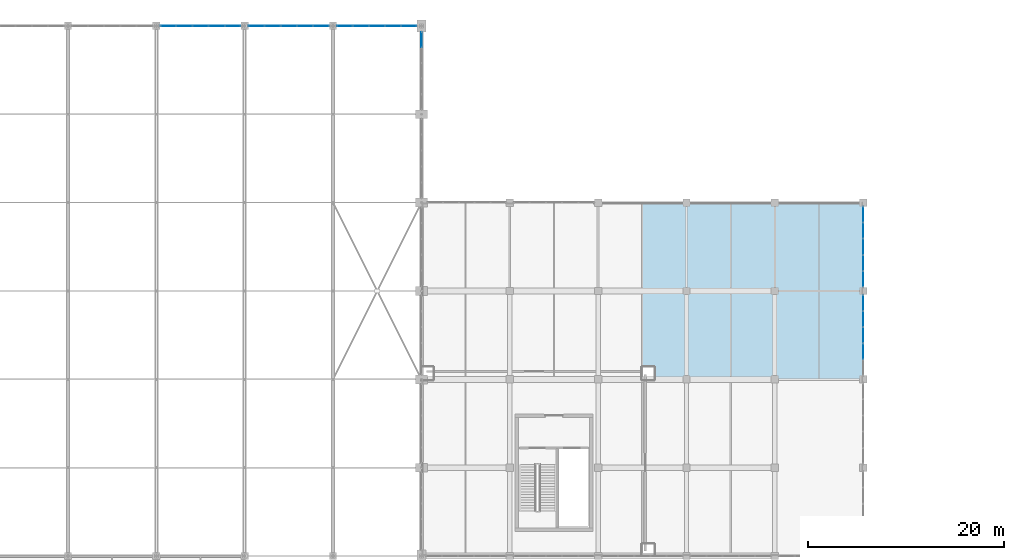
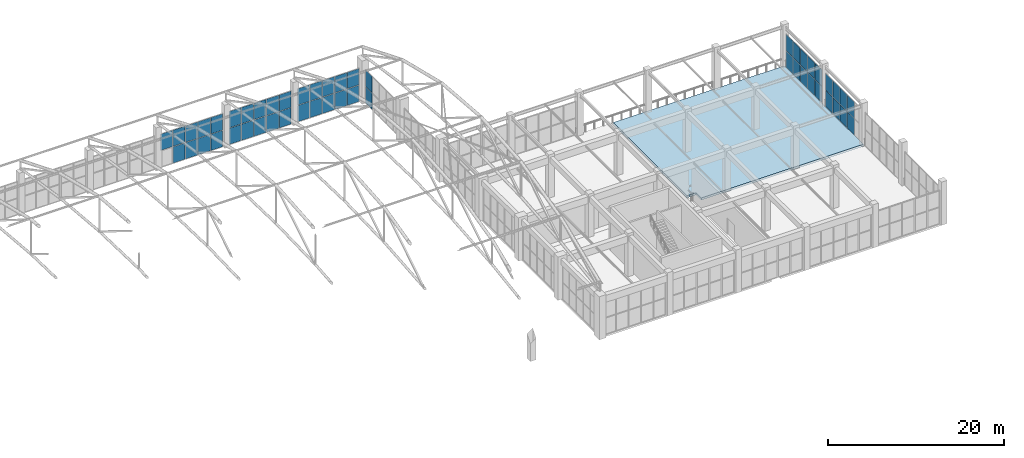
# One storey, part 181 of 223: 49 plates, 1 slab, 6 elements without a shape of their own.
"""IFC4 building model written with IfcOpenShell, lengths in metres."""

from ifc_helpers import new_model, si_unit, direction, frame, origin, origin_2d, place, context, subcontext, project, spatial, polyline, rectangle, outline, extrude, material, layer, layer_set, type_object, element, aggregate, save


model = new_model("IFC4")

# Units and contexts
model_context = context("Model", 3, precision=1e-05, world=origin(), true_north=direction((0.0, 1.0)))
body_context = subcontext(model_context, "Body", "Model", "MODEL_VIEW")
ifc_project = project(units=[si_unit("LENGTHUNIT", "METRE"), si_unit("AREAUNIT", "SQUARE_METRE"), si_unit("VOLUMEUNIT", "CUBIC_METRE"), si_unit("PLANEANGLEUNIT", "RADIAN"), si_unit("MASSUNIT", "GRAM", prefix="KILO")], contexts=[model_context])

# Site, building, storey
site_placement = place(None, origin())
site = spatial("IfcSite", under=ifc_project, at=site_placement, CompositionType="ELEMENT")
building_placement = place(site_placement, origin())
building = spatial("IfcBuilding", under=site, at=building_placement, Name="Dornveld Trade and Exhibition Forum", CompositionType="ELEMENT")
storey_placement = place(building_placement, frame((0.0, 0.0, 6.0)))
storey = spatial("IfcBuildingStorey", under=building, at=storey_placement, Name="L01", CompositionType="ELEMENT", Elevation=6.0)

# Curtain wall, plates
ifc_material_1 = material(Name="Dark-bronze anodised aluminium and low-E glass", Category="aluminium")
ifc_layer_1 = layer(ifc_material_1, 0.193115234375)
ifc_layer_set_1 = layer_set([ifc_layer_1], Name="Dark-bronze anodised aluminium and low-E glass")
curtain_wall_type_1 = type_object("IfcCurtainWallType", Name="CW-SYS-17", PredefinedType="USERDEFINED", material=ifc_layer_set_1)
curtain_wall_1_placement = place(storey_placement, origin())
curtain_wall_1 = element("IfcCurtainWall", 1, at=curtain_wall_1_placement, inside=storey, type_object=curtain_wall_type_1, Name="L01 unitised curtain wall 17", ObjectType="UNITISED_CURTAIN_WALL", PredefinedType="USERDEFINED")
ifc_material_2 = material(Name="Double-glazed low-E solar control glass", Category="glass")
ifc_layer_2 = layer(ifc_material_2, 0.02587890625)
ifc_layer_set_2 = layer_set([ifc_layer_2], Name="Double-glazed low-E solar control glass")
plate_type_1 = type_object("IfcPlateType", Name="CW-PNL-01", PredefinedType="CURTAIN_PANEL", material=ifc_layer_set_2)
plate_1_placement = place(storey_placement, frame((171.0, 160.59326171875, 0.05615234375), z_axis=(0.0, 0.0, 1.0), x_axis=(0.0, 1.0, 0.0)))
plate_1 = element("IfcPlate", 2, at=plate_1_placement, type_object=plate_type_1, Name="CW-17 panel 5.1", PredefinedType="CURTAIN_PANEL", context=body_context, shape_type="SweptSolid", body=[
    extrude(rectangle(XDim=1.501708984375, YDim=0.02587890625, at=origin_2d()), origin(), (0.0, 0.0, 1.0), 2.261962890625),
])
plate_2_placement = place(storey_placement, frame((171.0, 160.59326171875, 2.3779296875), z_axis=(0.0, 0.0, 1.0), x_axis=(0.0, 1.0, 0.0)))
plate_2 = element("IfcPlate", 3, at=plate_2_placement, type_object=plate_type_1, Name="CW-17 panel 5.2", PredefinedType="CURTAIN_PANEL", context=body_context, shape_type="SweptSolid", body=[
    extrude(rectangle(XDim=1.501708984375, YDim=0.02587890625, at=origin_2d()), origin(), (0.0, 0.0, 1.0), 2.261962890625),
])
aggregate(curtain_wall_1, [plate_1, plate_2])

ifc_material_3 = material(Name="Dark-bronze anodised aluminium and low-E glass", Category="aluminium")
ifc_layer_3 = layer(ifc_material_3, 0.14501953125)
ifc_layer_set_3 = layer_set([ifc_layer_3], Name="Dark-bronze anodised aluminium and low-E glass")
curtain_wall_type_2 = type_object("IfcCurtainWallType", Name="CW-SYS-01", PredefinedType="USERDEFINED", material=ifc_layer_set_3)
curtain_wall_2_placement = place(storey_placement, origin())
curtain_wall_2 = element("IfcCurtainWall", 4, at=curtain_wall_2_placement, inside=storey, type_object=curtain_wall_type_2, Name="L01 unitised curtain wall 145", ObjectType="UNITISED_CURTAIN_WALL", PredefinedType="USERDEFINED")
plate_3_placement = place(storey_placement, frame((169.720703125, 162.0, 0.05615234375), z_axis=(0.0, 0.0, 1.0), x_axis=(-1.0, 0.0, 0.0)))
plate_3 = element("IfcPlate", 5, at=plate_3_placement, type_object=plate_type_1, Name="CW-01 panel 1.1", PredefinedType="CURTAIN_PANEL", context=body_context, shape_type="SweptSolid", body=[
    extrude(rectangle(XDim=1.546630859375, YDim=0.02587890625, at=origin_2d()), origin(), (0.0, 0.0, 1.0), 2.261962890625),
])
plate_4_placement = place(storey_placement, frame((169.720703125, 162.0, 2.3779296875), z_axis=(0.0, 0.0, 1.0), x_axis=(-1.0, 0.0, 0.0)))
plate_4 = element("IfcPlate", 6, at=plate_4_placement, type_object=plate_type_1, Name="CW-01 panel 1.2", PredefinedType="CURTAIN_PANEL", context=body_context, shape_type="SweptSolid", body=[
    extrude(rectangle(XDim=1.546630859375, YDim=0.02587890625, at=origin_2d()), origin(), (0.0, 0.0, 1.0), 2.261962890625),
])
plate_5_placement = place(storey_placement, frame((168.09912109375, 162.0, 0.05615234375), z_axis=(0.0, 0.0, 1.0), x_axis=(-1.0, 0.0, 0.0)))
plate_5 = element("IfcPlate", 7, at=plate_5_placement, type_object=plate_type_1, Name="CW-01 panel 2.1", PredefinedType="CURTAIN_PANEL", context=body_context, shape_type="SweptSolid", body=[
    extrude(rectangle(XDim=1.57666015625, YDim=0.02587890625, at=origin_2d()), origin(), (0.0, 0.0, 1.0), 2.261962890625),
])
plate_6_placement = place(storey_placement, frame((168.09912109375, 162.0, 2.3779296875), z_axis=(0.0, 0.0, 1.0), x_axis=(-1.0, 0.0, 0.0)))
plate_6 = element("IfcPlate", 8, at=plate_6_placement, type_object=plate_type_1, Name="CW-01 panel 2.2", PredefinedType="CURTAIN_PANEL", context=body_context, shape_type="SweptSolid", body=[
    extrude(rectangle(XDim=1.57666015625, YDim=0.02587890625, at=origin_2d()), origin(), (0.0, 0.0, 1.0), 2.261962890625),
])
plate_7_placement = place(storey_placement, frame((166.46240234375, 162.0, 0.05615234375), z_axis=(0.0, 0.0, 1.0), x_axis=(-1.0, 0.0, 0.0)))
plate_7 = element("IfcPlate", 9, at=plate_7_placement, type_object=plate_type_1, Name="CW-01 panel 3.1", PredefinedType="CURTAIN_PANEL", context=body_context, shape_type="SweptSolid", body=[
    extrude(rectangle(XDim=1.57666015625, YDim=0.02587890625, at=origin_2d()), origin(), (0.0, 0.0, 1.0), 2.261962890625),
])
plate_8_placement = place(storey_placement, frame((166.46240234375, 162.0, 2.3779296875), z_axis=(0.0, 0.0, 1.0), x_axis=(-1.0, 0.0, 0.0)))
plate_8 = element("IfcPlate", 10, at=plate_8_placement, type_object=plate_type_1, Name="CW-01 panel 3.2", PredefinedType="CURTAIN_PANEL", context=body_context, shape_type="SweptSolid", body=[
    extrude(rectangle(XDim=1.57666015625, YDim=0.02587890625, at=origin_2d()), origin(), (0.0, 0.0, 1.0), 2.261962890625),
])
plate_9_placement = place(storey_placement, frame((164.825927734375, 162.0, 0.05615234375), z_axis=(0.0, 0.0, 1.0), x_axis=(-1.0, 0.0, 0.0)))
plate_9 = element("IfcPlate", 11, at=plate_9_placement, type_object=plate_type_1, Name="CW-01 panel 4.1", PredefinedType="CURTAIN_PANEL", context=body_context, shape_type="SweptSolid", body=[
    extrude(rectangle(XDim=1.57666015625, YDim=0.02587890625, at=origin_2d()), origin(), (0.0, 0.0, 1.0), 2.261962890625),
])
plate_10_placement = place(storey_placement, frame((164.825927734375, 162.0, 2.3779296875), z_axis=(0.0, 0.0, 1.0), x_axis=(-1.0, 0.0, 0.0)))
plate_10 = element("IfcPlate", 12, at=plate_10_placement, type_object=plate_type_1, Name="CW-01 panel 4.2", PredefinedType="CURTAIN_PANEL", context=body_context, shape_type="SweptSolid", body=[
    extrude(rectangle(XDim=1.57666015625, YDim=0.02587890625, at=origin_2d()), origin(), (0.0, 0.0, 1.0), 2.261962890625),
])
plate_11_placement = place(storey_placement, frame((163.204345703125, 162.0, 0.05615234375), z_axis=(0.0, 0.0, 1.0), x_axis=(-1.0, 0.0, 0.0)))
plate_11 = element("IfcPlate", 13, at=plate_11_placement, type_object=plate_type_1, Name="CW-01 panel 5.1", PredefinedType="CURTAIN_PANEL", context=body_context, shape_type="SweptSolid", body=[
    extrude(rectangle(XDim=1.546630859375, YDim=0.02587890625, at=origin_2d()), origin(), (0.0, 0.0, 1.0), 2.261962890625),
])
plate_12_placement = place(storey_placement, frame((163.204345703125, 162.0, 2.3779296875), z_axis=(0.0, 0.0, 1.0), x_axis=(-1.0, 0.0, 0.0)))
plate_12 = element("IfcPlate", 14, at=plate_12_placement, type_object=plate_type_1, Name="CW-01 panel 5.2", PredefinedType="CURTAIN_PANEL", context=body_context, shape_type="SweptSolid", body=[
    extrude(rectangle(XDim=1.546630859375, YDim=0.02587890625, at=origin_2d()), origin(), (0.0, 0.0, 1.0), 2.261962890625),
])
aggregate(curtain_wall_2, [plate_3, plate_4, plate_5, plate_6, plate_7, plate_8, plate_9, plate_10, plate_11, plate_12])

ifc_material_4 = material(Name="Dark-bronze anodised aluminium and low-E glass", Category="aluminium")
ifc_layer_4 = layer(ifc_material_4, 0.15087890625)
ifc_layer_set_4 = layer_set([ifc_layer_4], Name="Dark-bronze anodised aluminium and low-E glass")
curtain_wall_type_3 = type_object("IfcCurtainWallType", Name="CW-SYS-03", PredefinedType="USERDEFINED", material=ifc_layer_set_4)
curtain_wall_3_placement = place(storey_placement, origin())
curtain_wall_3 = element("IfcCurtainWall", 15, at=curtain_wall_3_placement, inside=storey, type_object=curtain_wall_type_3, Name="L01 unitised curtain wall 111", ObjectType="UNITISED_CURTAIN_WALL", PredefinedType="USERDEFINED")
ifc_material_5 = material(Name="Double-glazed low-E solar control glass", Category="glass")
ifc_layer_5 = layer(ifc_material_5, 0.0380859375)
ifc_layer_set_5 = layer_set([ifc_layer_5], Name="Double-glazed low-E solar control glass")
plate_type_2 = type_object("IfcPlateType", Name="CW-PNL-07", PredefinedType="CURTAIN_PANEL", material=ifc_layer_set_5)
plate_13_placement = place(storey_placement, frame((216.0, 128.848388671875, 0.05615234375), z_axis=(0.0, 0.0, 1.0), x_axis=(0.0, 1.0, 0.0)))
plate_13 = element("IfcPlate", 16, at=plate_13_placement, type_object=plate_type_2, Name="CW-03 panel 2.1", PredefinedType="CURTAIN_PANEL", context=body_context, shape_type="SweptSolid", body=[
    extrude(rectangle(XDim=1.591552734375, YDim=0.0380859375, at=origin_2d()), origin(), (0.0, 0.0, 1.0), 2.261962890625),
])
plate_14_placement = place(storey_placement, frame((216.0, 128.848388671875, 2.3779296875), z_axis=(0.0, 0.0, 1.0), x_axis=(0.0, 1.0, 0.0)))
plate_14 = element("IfcPlate", 17, at=plate_14_placement, type_object=plate_type_2, Name="CW-03 panel 2.2", PredefinedType="CURTAIN_PANEL", context=body_context, shape_type="SweptSolid", body=[
    extrude(rectangle(XDim=1.591552734375, YDim=0.0380859375, at=origin_2d()), origin(), (0.0, 0.0, 1.0), 2.261962890625),
])
plate_15_placement = place(storey_placement, frame((216.0, 130.5, 0.05615234375), z_axis=(0.0, 0.0, 1.0), x_axis=(0.0, 1.0, 0.0)))
plate_15 = element("IfcPlate", 18, at=plate_15_placement, type_object=plate_type_2, Name="CW-03 panel 3.1", PredefinedType="CURTAIN_PANEL", context=body_context, shape_type="SweptSolid", body=[
    extrude(rectangle(XDim=1.591552734375, YDim=0.0380859375, at=origin_2d()), origin(), (0.0, 0.0, 1.0), 2.261962890625),
])
plate_16_placement = place(storey_placement, frame((216.0, 130.5, 2.3779296875), z_axis=(0.0, 0.0, 1.0), x_axis=(0.0, 1.0, 0.0)))
plate_16 = element("IfcPlate", 19, at=plate_16_placement, type_object=plate_type_2, Name="CW-03 panel 3.2", PredefinedType="CURTAIN_PANEL", context=body_context, shape_type="SweptSolid", body=[
    extrude(rectangle(XDim=1.591552734375, YDim=0.0380859375, at=origin_2d()), origin(), (0.0, 0.0, 1.0), 2.261962890625),
])
plate_17_placement = place(storey_placement, frame((216.0, 132.151611328125, 0.05615234375), z_axis=(0.0, 0.0, 1.0), x_axis=(0.0, 1.0, 0.0)))
plate_17 = element("IfcPlate", 20, at=plate_17_placement, type_object=plate_type_2, Name="CW-03 panel 4.1", PredefinedType="CURTAIN_PANEL", context=body_context, shape_type="SweptSolid", body=[
    extrude(rectangle(XDim=1.591552734375, YDim=0.0380859375, at=origin_2d()), origin(), (0.0, 0.0, 1.0), 2.261962890625),
])
plate_18_placement = place(storey_placement, frame((216.0, 132.151611328125, 2.3779296875), z_axis=(0.0, 0.0, 1.0), x_axis=(0.0, 1.0, 0.0)))
plate_18 = element("IfcPlate", 21, at=plate_18_placement, type_object=plate_type_2, Name="CW-03 panel 4.2", PredefinedType="CURTAIN_PANEL", context=body_context, shape_type="SweptSolid", body=[
    extrude(rectangle(XDim=1.591552734375, YDim=0.0380859375, at=origin_2d()), origin(), (0.0, 0.0, 1.0), 2.261962890625),
])
plate_19_placement = place(storey_placement, frame((216.0, 133.7880859375, 0.05615234375), z_axis=(0.0, 0.0, 1.0), x_axis=(0.0, 1.0, 0.0)))
plate_19 = element("IfcPlate", 22, at=plate_19_placement, type_object=plate_type_2, Name="CW-03 panel 5.1", PredefinedType="CURTAIN_PANEL", context=body_context, shape_type="SweptSolid", body=[
    extrude(rectangle(XDim=1.5615234375, YDim=0.0380859375, at=origin_2d()), origin(), (0.0, 0.0, 1.0), 2.261962890625),
])
plate_20_placement = place(storey_placement, frame((216.0, 133.7880859375, 2.3779296875), z_axis=(0.0, 0.0, 1.0), x_axis=(0.0, 1.0, 0.0)))
plate_20 = element("IfcPlate", 23, at=plate_20_placement, type_object=plate_type_2, Name="CW-03 panel 5.2", PredefinedType="CURTAIN_PANEL", context=body_context, shape_type="SweptSolid", body=[
    extrude(rectangle(XDim=1.5615234375, YDim=0.0380859375, at=origin_2d()), origin(), (0.0, 0.0, 1.0), 2.261962890625),
])
aggregate(curtain_wall_3, [plate_13, plate_14, plate_15, plate_16, plate_17, plate_18, plate_19, plate_20])

curtain_wall_4_placement = place(storey_placement, origin())
curtain_wall_4 = element("IfcCurtainWall", 24, at=curtain_wall_4_placement, inside=storey, type_object=curtain_wall_type_1, Name="L01 unitised curtain wall 143", ObjectType="UNITISED_CURTAIN_WALL", PredefinedType="USERDEFINED")
plate_21_placement = place(storey_placement, frame((151.7880859375, 162.0, 0.05615234375), z_axis=(0.0, 0.0, 1.0), x_axis=(-1.0, 0.0, 0.0)))
plate_21 = element("IfcPlate", 25, at=plate_21_placement, type_object=plate_type_2, Name="CW-17 panel 1.1", PredefinedType="CURTAIN_PANEL", context=body_context, shape_type="SweptSolid", body=[
    extrude(rectangle(XDim=1.5615234375, YDim=0.0380859375, at=origin_2d()), origin(), (0.0, 0.0, 1.0), 2.261962890625),
])
plate_22_placement = place(storey_placement, frame((151.7880859375, 162.0, 2.3779296875), z_axis=(0.0, 0.0, 1.0), x_axis=(-1.0, 0.0, 0.0)))
plate_22 = element("IfcPlate", 26, at=plate_22_placement, type_object=plate_type_2, Name="CW-17 panel 1.2", PredefinedType="CURTAIN_PANEL", context=body_context, shape_type="SweptSolid", body=[
    extrude(rectangle(XDim=1.5615234375, YDim=0.0380859375, at=origin_2d()), origin(), (0.0, 0.0, 1.0), 2.261962890625),
])
plate_23_placement = place(storey_placement, frame((150.151611328125, 162.0, 0.05615234375), z_axis=(0.0, 0.0, 1.0), x_axis=(-1.0, 0.0, 0.0)))
plate_23 = element("IfcPlate", 27, at=plate_23_placement, type_object=plate_type_2, Name="CW-17 panel 2.1", PredefinedType="CURTAIN_PANEL", context=body_context, shape_type="SweptSolid", body=[
    extrude(rectangle(XDim=1.591552734375, YDim=0.0380859375, at=origin_2d()), origin(), (0.0, 0.0, 1.0), 2.261962890625),
])
plate_24_placement = place(storey_placement, frame((150.151611328125, 162.0, 2.3779296875), z_axis=(0.0, 0.0, 1.0), x_axis=(-1.0, 0.0, 0.0)))
plate_24 = element("IfcPlate", 28, at=plate_24_placement, type_object=plate_type_2, Name="CW-17 panel 2.2", PredefinedType="CURTAIN_PANEL", context=body_context, shape_type="SweptSolid", body=[
    extrude(rectangle(XDim=1.591552734375, YDim=0.0380859375, at=origin_2d()), origin(), (0.0, 0.0, 1.0), 2.261962890625),
])
plate_25_placement = place(storey_placement, frame((148.5, 162.0, 0.05615234375), z_axis=(0.0, 0.0, 1.0), x_axis=(-1.0, 0.0, 0.0)))
plate_25 = element("IfcPlate", 29, at=plate_25_placement, type_object=plate_type_2, Name="CW-17 panel 3.1", PredefinedType="CURTAIN_PANEL", context=body_context, shape_type="SweptSolid", body=[
    extrude(rectangle(XDim=1.591552734375, YDim=0.0380859375, at=origin_2d()), origin(), (0.0, 0.0, 1.0), 2.261962890625),
])
plate_26_placement = place(storey_placement, frame((148.5, 162.0, 2.3779296875), z_axis=(0.0, 0.0, 1.0), x_axis=(-1.0, 0.0, 0.0)))
plate_26 = element("IfcPlate", 30, at=plate_26_placement, type_object=plate_type_2, Name="CW-17 panel 3.2", PredefinedType="CURTAIN_PANEL", context=body_context, shape_type="SweptSolid", body=[
    extrude(rectangle(XDim=1.591552734375, YDim=0.0380859375, at=origin_2d()), origin(), (0.0, 0.0, 1.0), 2.261962890625),
])
plate_27_placement = place(storey_placement, frame((146.848388671875, 162.0, 0.05615234375), z_axis=(0.0, 0.0, 1.0), x_axis=(-1.0, 0.0, 0.0)))
plate_27 = element("IfcPlate", 31, at=plate_27_placement, type_object=plate_type_2, Name="CW-17 panel 4.1", PredefinedType="CURTAIN_PANEL", context=body_context, shape_type="SweptSolid", body=[
    extrude(rectangle(XDim=1.591552734375, YDim=0.0380859375, at=origin_2d()), origin(), (0.0, 0.0, 1.0), 2.261962890625),
])
plate_28_placement = place(storey_placement, frame((146.848388671875, 162.0, 2.3779296875), z_axis=(0.0, 0.0, 1.0), x_axis=(-1.0, 0.0, 0.0)))
plate_28 = element("IfcPlate", 32, at=plate_28_placement, type_object=plate_type_2, Name="CW-17 panel 4.2", PredefinedType="CURTAIN_PANEL", context=body_context, shape_type="SweptSolid", body=[
    extrude(rectangle(XDim=1.591552734375, YDim=0.0380859375, at=origin_2d()), origin(), (0.0, 0.0, 1.0), 2.261962890625),
])
plate_29_placement = place(storey_placement, frame((145.2119140625, 162.0, 2.3779296875), z_axis=(0.0, 0.0, 1.0), x_axis=(-1.0, 0.0, 0.0)))
plate_29 = element("IfcPlate", 33, at=plate_29_placement, type_object=plate_type_2, Name="CW-17 panel 5.2", PredefinedType="CURTAIN_PANEL", context=body_context, shape_type="SweptSolid", body=[
    extrude(rectangle(XDim=1.5615234375, YDim=0.0380859375, at=origin_2d()), origin(), (0.0, 0.0, 1.0), 2.261962890625),
])
aggregate(curtain_wall_4, [plate_21, plate_22, plate_23, plate_24, plate_25, plate_26, plate_27, plate_28, plate_29])

ifc_material_6 = material(Name="Dark-bronze anodised aluminium and low-E glass", Category="aluminium")
ifc_layer_6 = layer(ifc_material_6, 0.154052734375)
ifc_layer_set_6 = layer_set([ifc_layer_6], Name="Dark-bronze anodised aluminium and low-E glass")
curtain_wall_type_4 = type_object("IfcCurtainWallType", Name="CW-SYS-04", PredefinedType="USERDEFINED", material=ifc_layer_set_6)
curtain_wall_5_placement = place(storey_placement, origin())
curtain_wall_5 = element("IfcCurtainWall", 34, at=curtain_wall_5_placement, inside=storey, type_object=curtain_wall_type_4, Name="L01 unitised curtain wall 112", ObjectType="UNITISED_CURTAIN_WALL", PredefinedType="USERDEFINED")
ifc_material_7 = material(Name="Double-glazed low-E solar control glass", Category="glass")
ifc_layer_7 = layer(ifc_material_7, 0.0400390625)
ifc_layer_set_7 = layer_set([ifc_layer_7], Name="Double-glazed low-E solar control glass")
plate_type_3 = type_object("IfcPlateType", Name="CW-PNL-08", PredefinedType="CURTAIN_PANEL", material=ifc_layer_set_7)
plate_30_placement = place(storey_placement, frame((216.0, 136.2119140625, 0.05615234375), z_axis=(0.0, 0.0, 1.0), x_axis=(0.0, 1.0, 0.0)))
plate_30 = element("IfcPlate", 35, at=plate_30_placement, type_object=plate_type_3, Name="CW-04 panel 1.1", PredefinedType="CURTAIN_PANEL", context=body_context, shape_type="SweptSolid", body=[
    extrude(rectangle(XDim=1.5615234375, YDim=0.0400390625, at=origin_2d()), origin(), (0.0, 0.0, 1.0), 2.261962890625),
])
plate_31_placement = place(storey_placement, frame((216.0, 136.2119140625, 2.3779296875), z_axis=(0.0, 0.0, 1.0), x_axis=(0.0, 1.0, 0.0)))
plate_31 = element("IfcPlate", 36, at=plate_31_placement, type_object=plate_type_3, Name="CW-04 panel 1.2", PredefinedType="CURTAIN_PANEL", context=body_context, shape_type="SweptSolid", body=[
    extrude(rectangle(XDim=1.5615234375, YDim=0.0400390625, at=origin_2d()), origin(), (0.0, 0.0, 1.0), 2.261962890625),
])
plate_32_placement = place(storey_placement, frame((216.0, 137.848388671875, 0.05615234375), z_axis=(0.0, 0.0, 1.0), x_axis=(0.0, 1.0, 0.0)))
plate_32 = element("IfcPlate", 37, at=plate_32_placement, type_object=plate_type_3, Name="CW-04 panel 2.1", PredefinedType="CURTAIN_PANEL", context=body_context, shape_type="SweptSolid", body=[
    extrude(rectangle(XDim=1.591552734375, YDim=0.0400390625, at=origin_2d()), origin(), (0.0, 0.0, 1.0), 2.261962890625),
])
plate_33_placement = place(storey_placement, frame((216.0, 137.848388671875, 2.3779296875), z_axis=(0.0, 0.0, 1.0), x_axis=(0.0, 1.0, 0.0)))
plate_33 = element("IfcPlate", 38, at=plate_33_placement, type_object=plate_type_3, Name="CW-04 panel 2.2", PredefinedType="CURTAIN_PANEL", context=body_context, shape_type="SweptSolid", body=[
    extrude(rectangle(XDim=1.591552734375, YDim=0.0400390625, at=origin_2d()), origin(), (0.0, 0.0, 1.0), 2.261962890625),
])
plate_34_placement = place(storey_placement, frame((216.0, 139.5, 0.05615234375), z_axis=(0.0, 0.0, 1.0), x_axis=(0.0, 1.0, 0.0)))
plate_34 = element("IfcPlate", 39, at=plate_34_placement, type_object=plate_type_3, Name="CW-04 panel 3.1", PredefinedType="CURTAIN_PANEL", context=body_context, shape_type="SweptSolid", body=[
    extrude(rectangle(XDim=1.591552734375, YDim=0.0400390625, at=origin_2d()), origin(), (0.0, 0.0, 1.0), 2.261962890625),
])
plate_35_placement = place(storey_placement, frame((216.0, 139.5, 2.3779296875), z_axis=(0.0, 0.0, 1.0), x_axis=(0.0, 1.0, 0.0)))
plate_35 = element("IfcPlate", 40, at=plate_35_placement, type_object=plate_type_3, Name="CW-04 panel 3.2", PredefinedType="CURTAIN_PANEL", context=body_context, shape_type="SweptSolid", body=[
    extrude(rectangle(XDim=1.591552734375, YDim=0.0400390625, at=origin_2d()), origin(), (0.0, 0.0, 1.0), 2.261962890625),
])
plate_36_placement = place(storey_placement, frame((216.0, 141.151611328125, 0.05615234375), z_axis=(0.0, 0.0, 1.0), x_axis=(0.0, 1.0, 0.0)))
plate_36 = element("IfcPlate", 41, at=plate_36_placement, type_object=plate_type_3, Name="CW-04 panel 4.1", PredefinedType="CURTAIN_PANEL", context=body_context, shape_type="SweptSolid", body=[
    extrude(rectangle(XDim=1.591552734375, YDim=0.0400390625, at=origin_2d()), origin(), (0.0, 0.0, 1.0), 2.261962890625),
])
plate_37_placement = place(storey_placement, frame((216.0, 141.151611328125, 2.3779296875), z_axis=(0.0, 0.0, 1.0), x_axis=(0.0, 1.0, 0.0)))
plate_37 = element("IfcPlate", 42, at=plate_37_placement, type_object=plate_type_3, Name="CW-04 panel 4.2", PredefinedType="CURTAIN_PANEL", context=body_context, shape_type="SweptSolid", body=[
    extrude(rectangle(XDim=1.591552734375, YDim=0.0400390625, at=origin_2d()), origin(), (0.0, 0.0, 1.0), 2.261962890625),
])
plate_38_placement = place(storey_placement, frame((216.0, 142.7880859375, 0.05615234375), z_axis=(0.0, 0.0, 1.0), x_axis=(0.0, 1.0, 0.0)))
plate_38 = element("IfcPlate", 43, at=plate_38_placement, type_object=plate_type_3, Name="CW-04 panel 5.1", PredefinedType="CURTAIN_PANEL", context=body_context, shape_type="SweptSolid", body=[
    extrude(rectangle(XDim=1.5615234375, YDim=0.0400390625, at=origin_2d()), origin(), (0.0, 0.0, 1.0), 2.261962890625),
])
plate_39_placement = place(storey_placement, frame((216.0, 142.7880859375, 2.3779296875), z_axis=(0.0, 0.0, 1.0), x_axis=(0.0, 1.0, 0.0)))
plate_39 = element("IfcPlate", 44, at=plate_39_placement, type_object=plate_type_3, Name="CW-04 panel 5.2", PredefinedType="CURTAIN_PANEL", context=body_context, shape_type="SweptSolid", body=[
    extrude(rectangle(XDim=1.5615234375, YDim=0.0400390625, at=origin_2d()), origin(), (0.0, 0.0, 1.0), 2.261962890625),
])
aggregate(curtain_wall_5, [plate_30, plate_31, plate_32, plate_33, plate_34, plate_35, plate_36, plate_37, plate_38, plate_39])

ifc_material_8 = material(Name="Dark-bronze anodised aluminium and low-E glass", Category="aluminium")
ifc_layer_8 = layer(ifc_material_8, 0.196044921875)
ifc_layer_set_8 = layer_set([ifc_layer_8], Name="Dark-bronze anodised aluminium and low-E glass")
curtain_wall_type_5 = type_object("IfcCurtainWallType", Name="CW-SYS-18", PredefinedType="USERDEFINED", material=ifc_layer_set_8)
curtain_wall_6_placement = place(storey_placement, origin())
curtain_wall_6 = element("IfcCurtainWall", 45, at=curtain_wall_6_placement, inside=storey, type_object=curtain_wall_type_5, Name="L01 unitised curtain wall 144", ObjectType="UNITISED_CURTAIN_WALL", PredefinedType="USERDEFINED")
plate_40_placement = place(storey_placement, frame((160.7880859375, 162.0, 0.05615234375), z_axis=(0.0, 0.0, 1.0), x_axis=(-1.0, 0.0, 0.0)))
plate_40 = element("IfcPlate", 46, at=plate_40_placement, type_object=plate_type_3, Name="CW-18 panel 1.1", PredefinedType="CURTAIN_PANEL", context=body_context, shape_type="SweptSolid", body=[
    extrude(rectangle(XDim=1.5615234375, YDim=0.0400390625, at=origin_2d()), origin(), (0.0, 0.0, 1.0), 2.261962890625),
])
plate_41_placement = place(storey_placement, frame((160.7880859375, 162.0, 2.3779296875), z_axis=(0.0, 0.0, 1.0), x_axis=(-1.0, 0.0, 0.0)))
plate_41 = element("IfcPlate", 47, at=plate_41_placement, type_object=plate_type_3, Name="CW-18 panel 1.2", PredefinedType="CURTAIN_PANEL", context=body_context, shape_type="SweptSolid", body=[
    extrude(rectangle(XDim=1.5615234375, YDim=0.0400390625, at=origin_2d()), origin(), (0.0, 0.0, 1.0), 2.261962890625),
])
plate_42_placement = place(storey_placement, frame((159.151611328125, 162.0, 0.05615234375), z_axis=(0.0, 0.0, 1.0), x_axis=(-1.0, 0.0, 0.0)))
plate_42 = element("IfcPlate", 48, at=plate_42_placement, type_object=plate_type_3, Name="CW-18 panel 2.1", PredefinedType="CURTAIN_PANEL", context=body_context, shape_type="SweptSolid", body=[
    extrude(rectangle(XDim=1.591552734375, YDim=0.0400390625, at=origin_2d()), origin(), (0.0, 0.0, 1.0), 2.261962890625),
])
plate_43_placement = place(storey_placement, frame((159.151611328125, 162.0, 2.3779296875), z_axis=(0.0, 0.0, 1.0), x_axis=(-1.0, 0.0, 0.0)))
plate_43 = element("IfcPlate", 49, at=plate_43_placement, type_object=plate_type_3, Name="CW-18 panel 2.2", PredefinedType="CURTAIN_PANEL", context=body_context, shape_type="SweptSolid", body=[
    extrude(rectangle(XDim=1.591552734375, YDim=0.0400390625, at=origin_2d()), origin(), (0.0, 0.0, 1.0), 2.261962890625),
])
plate_44_placement = place(storey_placement, frame((157.5, 162.0, 0.05615234375), z_axis=(0.0, 0.0, 1.0), x_axis=(-1.0, 0.0, 0.0)))
plate_44 = element("IfcPlate", 50, at=plate_44_placement, type_object=plate_type_3, Name="CW-18 panel 3.1", PredefinedType="CURTAIN_PANEL", context=body_context, shape_type="SweptSolid", body=[
    extrude(rectangle(XDim=1.591552734375, YDim=0.0400390625, at=origin_2d()), origin(), (0.0, 0.0, 1.0), 2.261962890625),
])
plate_45_placement = place(storey_placement, frame((157.5, 162.0, 2.3779296875), z_axis=(0.0, 0.0, 1.0), x_axis=(-1.0, 0.0, 0.0)))
plate_45 = element("IfcPlate", 51, at=plate_45_placement, type_object=plate_type_3, Name="CW-18 panel 3.2", PredefinedType="CURTAIN_PANEL", context=body_context, shape_type="SweptSolid", body=[
    extrude(rectangle(XDim=1.591552734375, YDim=0.0400390625, at=origin_2d()), origin(), (0.0, 0.0, 1.0), 2.261962890625),
])
plate_46_placement = place(storey_placement, frame((155.848388671875, 162.0, 0.05615234375), z_axis=(0.0, 0.0, 1.0), x_axis=(-1.0, 0.0, 0.0)))
plate_46 = element("IfcPlate", 52, at=plate_46_placement, type_object=plate_type_3, Name="CW-18 panel 4.1", PredefinedType="CURTAIN_PANEL", context=body_context, shape_type="SweptSolid", body=[
    extrude(rectangle(XDim=1.591552734375, YDim=0.0400390625, at=origin_2d()), origin(), (0.0, 0.0, 1.0), 2.261962890625),
])
plate_47_placement = place(storey_placement, frame((155.848388671875, 162.0, 2.3779296875), z_axis=(0.0, 0.0, 1.0), x_axis=(-1.0, 0.0, 0.0)))
plate_47 = element("IfcPlate", 53, at=plate_47_placement, type_object=plate_type_3, Name="CW-18 panel 4.2", PredefinedType="CURTAIN_PANEL", context=body_context, shape_type="SweptSolid", body=[
    extrude(rectangle(XDim=1.591552734375, YDim=0.0400390625, at=origin_2d()), origin(), (0.0, 0.0, 1.0), 2.261962890625),
])
plate_48_placement = place(storey_placement, frame((154.2119140625, 162.0, 0.05615234375), z_axis=(0.0, 0.0, 1.0), x_axis=(-1.0, 0.0, 0.0)))
plate_48 = element("IfcPlate", 54, at=plate_48_placement, type_object=plate_type_3, Name="CW-18 panel 5.1", PredefinedType="CURTAIN_PANEL", context=body_context, shape_type="SweptSolid", body=[
    extrude(rectangle(XDim=1.5615234375, YDim=0.0400390625, at=origin_2d()), origin(), (0.0, 0.0, 1.0), 2.261962890625),
])
plate_49_placement = place(storey_placement, frame((154.2119140625, 162.0, 2.3779296875), z_axis=(0.0, 0.0, 1.0), x_axis=(-1.0, 0.0, 0.0)))
plate_49 = element("IfcPlate", 55, at=plate_49_placement, type_object=plate_type_3, Name="CW-18 panel 5.2", PredefinedType="CURTAIN_PANEL", context=body_context, shape_type="SweptSolid", body=[
    extrude(rectangle(XDim=1.5615234375, YDim=0.0400390625, at=origin_2d()), origin(), (0.0, 0.0, 1.0), 2.261962890625),
])
aggregate(curtain_wall_6, [plate_40, plate_41, plate_42, plate_43, plate_44, plate_45, plate_46, plate_47, plate_48, plate_49])

# Slab
ifc_material_9 = material(Name="Precast concrete C50/60", Category="concrete")
ifc_layer_9 = layer(ifc_material_9, 0.260009765625)
ifc_layer_set_9 = layer_set([ifc_layer_9], Name="Precast concrete C50/60")
slab_type = type_object("IfcSlabType", Name="SL-OFF-260", PredefinedType="FLOOR", material=ifc_layer_set_9)
slab_placement = place(storey_placement, frame((0.0, 0.0, -0.300048828125)))
element("IfcSlab", 56, at=slab_placement, inside=storey, type_object=slab_type, Name="L01 structural slab panel 52", PredefinedType="FLOOR", context=body_context, shape_type="SweptSolid", body=[
    extrude(outline(polyline([(194.699951171875, 126.0), (216.0, 126.0), (216.0, 144.0), (193.5, 144.0), (193.5, 127.199951171875), (194.699951171875, 127.199951171875), (194.699951171875, 126.0)])), origin(), (0.0, 0.0, 1.0), 0.300048828125),
])

save(model, "model.ifc")
